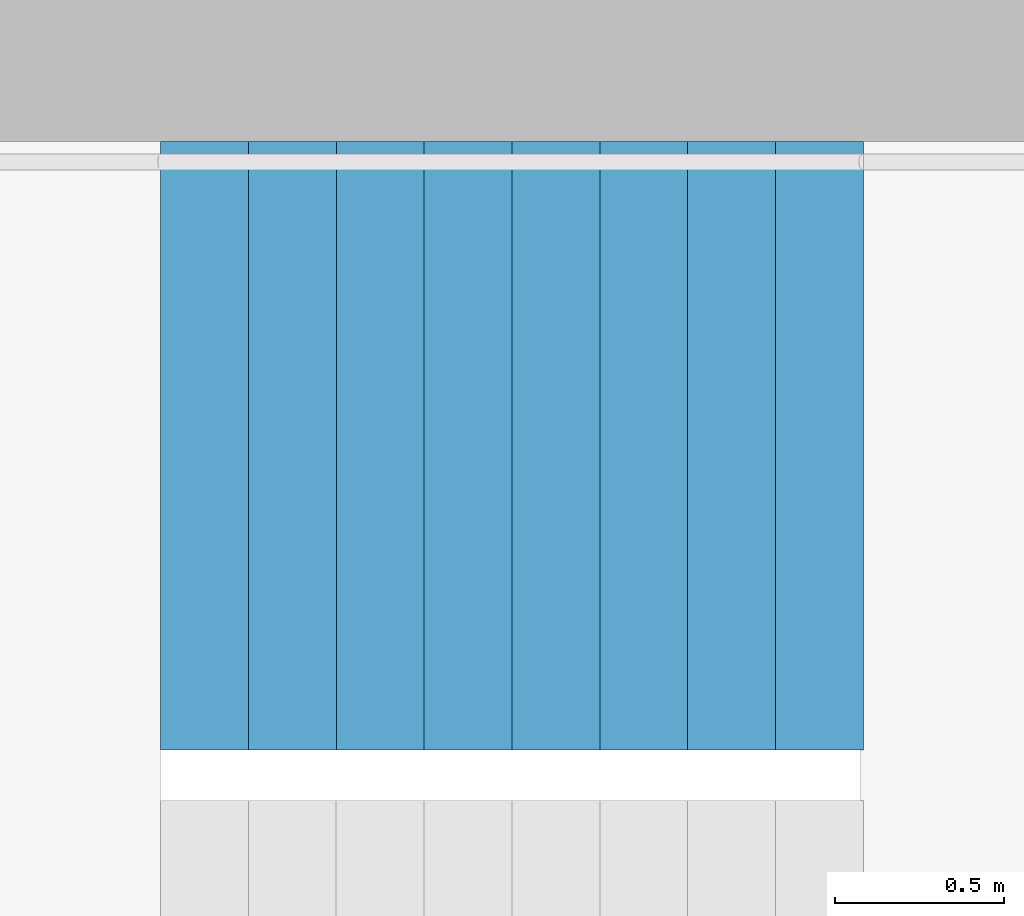
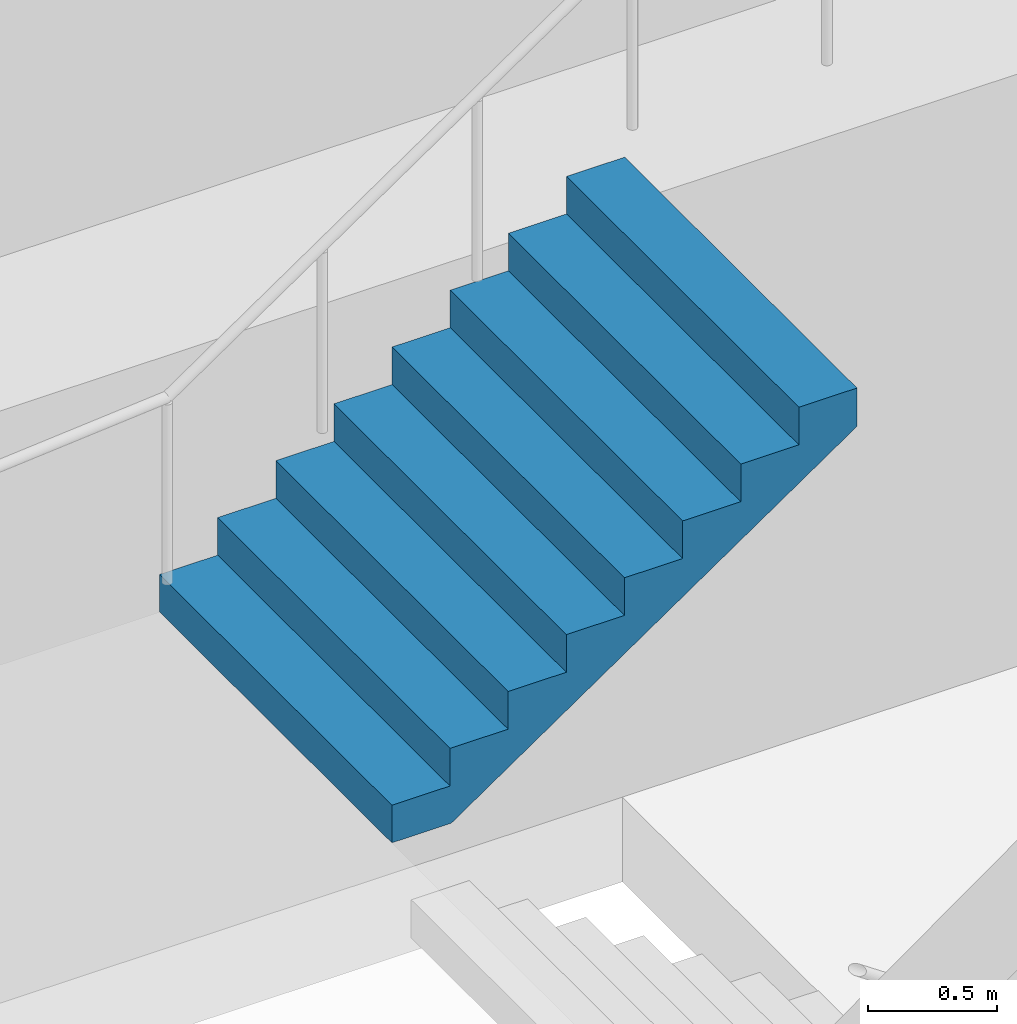
# One storey, part 27 of 28: 1 stair flight, 1 element without a shape of its own.
"""IFC4 building model written with IfcOpenShell, lengths in metres."""

from ifc_helpers import new_model, si_unit, direction, frame, origin, place, context, subcontext, project, spatial, triangles, material, type_object, element, aggregate, save


model = new_model("IFC4")

# Units and contexts
model_context = context("Model", 3, precision=1e-05, world=origin(), true_north=direction((0.0, 1.0)))
body_context = subcontext(model_context, "Body", "Model", "MODEL_VIEW")
ifc_project = project(units=[si_unit("LENGTHUNIT", "METRE"), si_unit("AREAUNIT", "SQUARE_METRE"), si_unit("VOLUMEUNIT", "CUBIC_METRE"), si_unit("PLANEANGLEUNIT", "RADIAN"), si_unit("MASSUNIT", "GRAM", prefix="KILO")], contexts=[model_context])

# Site, building, storey
site_placement = place(None, origin())
site = spatial("IfcSite", under=ifc_project, at=site_placement, CompositionType="ELEMENT")
building_placement = place(site_placement, origin())
building = spatial("IfcBuilding", under=site, at=building_placement, Name="Hakoniwa Tower and Hamabe Station Hall", CompositionType="ELEMENT")
storey_placement = place(building_placement, frame((0.0, 0.0, 32.60009765625)))
storey = spatial("IfcBuildingStorey", under=building, at=storey_placement, Name="L08", CompositionType="ELEMENT", Elevation=32.60009765625)

# Stair, stair flight
ifc_material_1 = material(Name="Concrete C40", Category="concrete")
stair_type = type_object("IfcStairType", Name="ESCAPE STAIR 1800", PredefinedType="HALF_TURN_STAIR", material=ifc_material_1)
stair_placement = place(storey_placement, origin())
stair = element("IfcStair", 1, at=stair_placement, inside=storey, type_object=stair_type, Name="Escape stair ST-3 L08", PredefinedType="HALF_TURN_STAIR")
ifc_material_2 = material(Name="Concrete C40", Category="concrete")
stair_flight_type = type_object("IfcStairFlightType", Name="STAIR FLIGHT 1800", PredefinedType="STRAIGHT", material=ifc_material_2)
stair_flight_placement = place(storey_placement, frame((22.320068359375, 6.60009765625, 1.599853515625), z_axis=(0.0, 0.0, 1.0), x_axis=(1.0, 0.0, 0.0)))
stair_flight = element("IfcStairFlight", 2, at=stair_flight_placement, type_object=stair_flight_type, Name="ST-3 flight 2", NumberOfRisers=9, NumberOfTreads=8, PredefinedType="STRAIGHT", RiserHeight=0.177777778, TreadLength=0.26, context=body_context, shape_type="Tessellation", body=[
    triangles([(0.0, 0.89990234375, 0.0), (0.260009765625, 0.89990234375, 0.0), (0.265625, 0.89990234375, 0.0), (0.52001953125, 0.89990234375, 0.174072265625), (0.780029296875, 0.89990234375, 0.351806640625), (1.0400390625, 0.89990234375, 0.529541015625), (1.300048828125, 0.89990234375, 0.707275390625), (1.56005859375, 0.89990234375, 0.885009765625), (1.820068359375, 0.89990234375, 1.062744140625), (2.080078125, 0.89990234375, 1.24072265625), (2.080078125, 0.89990234375, 1.422119140625), (1.820068359375, 0.89990234375, 1.422119140625), (1.820068359375, 0.89990234375, 1.244384765625), (1.56005859375, 0.89990234375, 1.244384765625), (1.56005859375, 0.89990234375, 1.066650390625), (1.300048828125, 0.89990234375, 1.066650390625), (1.300048828125, 0.89990234375, 0.888916015625), (1.0400390625, 0.89990234375, 0.888916015625), (1.0400390625, 0.89990234375, 0.711181640625), (0.780029296875, 0.89990234375, 0.711181640625), (0.780029296875, 0.89990234375, 0.533447265625), (0.52001953125, 0.89990234375, 0.533447265625), (0.52001953125, 0.89990234375, 0.35546875), (0.265625, 0.89990234375, 0.35546875), (0.260009765625, 0.89990234375, 0.35546875), (0.260009765625, 0.89990234375, 0.177734375), (0.0, 0.89990234375, 0.177734375), (0.0, 0.06005859375, 0.0), (0.260009765625, 0.06005859375, 0.0), (0.265625, 0.06005859375, 0.0), (0.52001953125, 0.06005859375, 0.174072265625), (0.780029296875, 0.06005859375, 0.351806640625), (1.0400390625, 0.06005859375, 0.529541015625), (1.300048828125, 0.06005859375, 0.707275390625), (1.56005859375, 0.06005859375, 0.885009765625), (1.820068359375, 0.06005859375, 1.062744140625), (2.080078125, 0.06005859375, 1.24072265625), (2.080078125, 0.06005859375, 1.422119140625), (1.820068359375, 0.06005859375, 1.422119140625), (1.820068359375, 0.06005859375, 1.244384765625), (1.56005859375, 0.06005859375, 1.244384765625), (1.56005859375, 0.06005859375, 1.066650390625), (1.300048828125, 0.06005859375, 1.066650390625), (1.300048828125, 0.06005859375, 0.888916015625), (1.0400390625, 0.06005859375, 0.888916015625), (1.0400390625, 0.06005859375, 0.711181640625), (0.780029296875, 0.06005859375, 0.711181640625), (0.780029296875, 0.06005859375, 0.533447265625), (0.52001953125, 0.06005859375, 0.533447265625), (0.52001953125, 0.06005859375, 0.35546875), (0.265625, 0.06005859375, 0.35546875), (0.260009765625, 0.06005859375, 0.35546875), (0.260009765625, 0.06005859375, 0.177734375), (0.0, 0.06005859375, 0.177734375), (0.0, 0.04296875, 0.0), (0.260009765625, 0.04296875, 0.0), (0.265625, 0.04296875, 0.0), (0.52001953125, 0.04296875, 0.174072265625), (0.780029296875, 0.04296875, 0.351806640625), (1.0400390625, 0.04296875, 0.529541015625), (1.300048828125, 0.04296875, 0.707275390625), (1.56005859375, 0.04296875, 0.885009765625), (1.820068359375, 0.04296875, 1.062744140625), (2.080078125, 0.04296875, 1.24072265625), (2.080078125, 0.04296875, 1.422119140625), (1.820068359375, 0.04296875, 1.422119140625), (1.820068359375, 0.04296875, 1.244384765625), (1.56005859375, 0.04296875, 1.244384765625), (1.56005859375, 0.04296875, 1.066650390625), (1.300048828125, 0.04296875, 1.066650390625), (1.300048828125, 0.04296875, 0.888916015625), (1.0400390625, 0.04296875, 0.888916015625), (1.0400390625, 0.04296875, 0.711181640625), (0.780029296875, 0.04296875, 0.711181640625), (0.780029296875, 0.04296875, 0.533447265625), (0.52001953125, 0.04296875, 0.533447265625), (0.52001953125, 0.04296875, 0.35546875), (0.265625, 0.04296875, 0.35546875), (0.260009765625, 0.04296875, 0.35546875), (0.260009765625, 0.04296875, 0.177734375), (0.0, 0.04296875, 0.177734375), (0.0, 0.025634765625, 0.0), (0.260009765625, 0.025634765625, 0.0), (0.265625, 0.025634765625, 0.0), (0.52001953125, 0.025634765625, 0.174072265625), (0.780029296875, 0.025634765625, 0.351806640625), (1.0400390625, 0.025634765625, 0.529541015625), (1.300048828125, 0.025634765625, 0.707275390625), (1.56005859375, 0.025634765625, 0.885009765625), (1.820068359375, 0.025634765625, 1.062744140625), (2.080078125, 0.025634765625, 1.24072265625), (2.080078125, 0.025634765625, 1.422119140625), (1.820068359375, 0.025634765625, 1.422119140625), (1.820068359375, 0.025634765625, 1.244384765625), (1.56005859375, 0.025634765625, 1.244384765625), (1.56005859375, 0.025634765625, 1.066650390625), (1.300048828125, 0.025634765625, 1.066650390625), (1.300048828125, 0.025634765625, 0.888916015625), (1.0400390625, 0.025634765625, 0.888916015625), (1.0400390625, 0.025634765625, 0.711181640625), (0.780029296875, 0.025634765625, 0.711181640625), (0.780029296875, 0.025634765625, 0.533447265625), (0.52001953125, 0.025634765625, 0.533447265625), (0.52001953125, 0.025634765625, 0.35546875), (0.265625, 0.025634765625, 0.35546875), (0.260009765625, 0.025634765625, 0.35546875), (0.260009765625, 0.025634765625, 0.177734375), (0.0, 0.025634765625, 0.177734375), (0.0, 0.008544921875, 0.0), (0.260009765625, 0.008544921875, 0.0), (0.265625, 0.008544921875, 0.0), (0.52001953125, 0.008544921875, 0.174072265625), (0.780029296875, 0.008544921875, 0.351806640625), (1.0400390625, 0.008544921875, 0.529541015625), (1.300048828125, 0.008544921875, 0.707275390625), (1.56005859375, 0.008544921875, 0.885009765625), (1.820068359375, 0.008544921875, 1.062744140625), (2.080078125, 0.008544921875, 1.24072265625), (2.080078125, 0.008544921875, 1.422119140625), (1.820068359375, 0.008544921875, 1.422119140625), (1.820068359375, 0.008544921875, 1.244384765625), (1.56005859375, 0.008544921875, 1.244384765625), (1.56005859375, 0.008544921875, 1.066650390625), (1.300048828125, 0.008544921875, 1.066650390625), (1.300048828125, 0.008544921875, 0.888916015625), (1.0400390625, 0.008544921875, 0.888916015625), (1.0400390625, 0.008544921875, 0.711181640625), (0.780029296875, 0.008544921875, 0.711181640625), (0.780029296875, 0.008544921875, 0.533447265625), (0.52001953125, 0.008544921875, 0.533447265625), (0.52001953125, 0.008544921875, 0.35546875), (0.265625, 0.008544921875, 0.35546875), (0.260009765625, 0.008544921875, 0.35546875), (0.260009765625, 0.008544921875, 0.177734375), (0.0, 0.008544921875, 0.177734375), (0.0, -0.008544921875, 0.0), (0.260009765625, -0.008544921875, 0.0), (0.265625, -0.008544921875, 0.0), (0.52001953125, -0.008544921875, 0.174072265625), (0.780029296875, -0.008544921875, 0.351806640625), (1.0400390625, -0.008544921875, 0.529541015625), (1.300048828125, -0.008544921875, 0.707275390625), (1.56005859375, -0.008544921875, 0.885009765625), (1.820068359375, -0.008544921875, 1.062744140625), (2.080078125, -0.008544921875, 1.24072265625), (2.080078125, -0.008544921875, 1.422119140625), (1.820068359375, -0.008544921875, 1.422119140625), (1.820068359375, -0.008544921875, 1.244384765625), (1.56005859375, -0.008544921875, 1.244384765625), (1.56005859375, -0.008544921875, 1.066650390625), (1.300048828125, -0.008544921875, 1.066650390625), (1.300048828125, -0.008544921875, 0.888916015625), (1.0400390625, -0.008544921875, 0.888916015625), (1.0400390625, -0.008544921875, 0.711181640625), (0.780029296875, -0.008544921875, 0.711181640625), (0.780029296875, -0.008544921875, 0.533447265625), (0.52001953125, -0.008544921875, 0.533447265625), (0.52001953125, -0.008544921875, 0.35546875), (0.265625, -0.008544921875, 0.35546875), (0.260009765625, -0.008544921875, 0.35546875), (0.260009765625, -0.008544921875, 0.177734375), (0.0, -0.008544921875, 0.177734375), (0.0, -0.025634765625, 0.0), (0.260009765625, -0.025634765625, 0.0), (0.265625, -0.025634765625, 0.0), (0.52001953125, -0.025634765625, 0.174072265625), (0.780029296875, -0.025634765625, 0.351806640625), (1.0400390625, -0.025634765625, 0.529541015625), (1.300048828125, -0.025634765625, 0.707275390625), (1.56005859375, -0.025634765625, 0.885009765625), (1.820068359375, -0.025634765625, 1.062744140625), (2.080078125, -0.025634765625, 1.24072265625), (2.080078125, -0.025634765625, 1.422119140625), (1.820068359375, -0.025634765625, 1.422119140625), (1.820068359375, -0.025634765625, 1.244384765625), (1.56005859375, -0.025634765625, 1.244384765625), (1.56005859375, -0.025634765625, 1.066650390625), (1.300048828125, -0.025634765625, 1.066650390625), (1.300048828125, -0.025634765625, 0.888916015625), (1.0400390625, -0.025634765625, 0.888916015625), (1.0400390625, -0.025634765625, 0.711181640625), (0.780029296875, -0.025634765625, 0.711181640625), (0.780029296875, -0.025634765625, 0.533447265625), (0.52001953125, -0.025634765625, 0.533447265625), (0.52001953125, -0.025634765625, 0.35546875), (0.265625, -0.025634765625, 0.35546875), (0.260009765625, -0.025634765625, 0.35546875), (0.260009765625, -0.025634765625, 0.177734375), (0.0, -0.025634765625, 0.177734375), (0.0, -0.04296875, 0.0), (0.260009765625, -0.04296875, 0.0), (0.265625, -0.04296875, 0.0), (0.52001953125, -0.04296875, 0.174072265625), (0.780029296875, -0.04296875, 0.351806640625), (1.0400390625, -0.04296875, 0.529541015625), (1.300048828125, -0.04296875, 0.707275390625), (1.56005859375, -0.04296875, 0.885009765625), (1.820068359375, -0.04296875, 1.062744140625), (2.080078125, -0.04296875, 1.24072265625), (2.080078125, -0.04296875, 1.422119140625), (1.820068359375, -0.04296875, 1.422119140625), (1.820068359375, -0.04296875, 1.244384765625), (1.56005859375, -0.04296875, 1.244384765625), (1.56005859375, -0.04296875, 1.066650390625), (1.300048828125, -0.04296875, 1.066650390625), (1.300048828125, -0.04296875, 0.888916015625), (1.0400390625, -0.04296875, 0.888916015625), (1.0400390625, -0.04296875, 0.711181640625), (0.780029296875, -0.04296875, 0.711181640625), (0.780029296875, -0.04296875, 0.533447265625), (0.52001953125, -0.04296875, 0.533447265625), (0.52001953125, -0.04296875, 0.35546875), (0.265625, -0.04296875, 0.35546875), (0.260009765625, -0.04296875, 0.35546875), (0.260009765625, -0.04296875, 0.177734375), (0.0, -0.04296875, 0.177734375), (0.0, -0.06005859375, 0.0), (0.260009765625, -0.06005859375, 0.0), (0.265625, -0.06005859375, 0.0), (0.52001953125, -0.06005859375, 0.174072265625), (0.780029296875, -0.06005859375, 0.351806640625), (1.0400390625, -0.06005859375, 0.529541015625), (1.300048828125, -0.06005859375, 0.707275390625), (1.56005859375, -0.06005859375, 0.885009765625), (1.820068359375, -0.06005859375, 1.062744140625), (2.080078125, -0.06005859375, 1.24072265625), (2.080078125, -0.06005859375, 1.422119140625), (1.820068359375, -0.06005859375, 1.422119140625), (1.820068359375, -0.06005859375, 1.244384765625), (1.56005859375, -0.06005859375, 1.244384765625), (1.56005859375, -0.06005859375, 1.066650390625), (1.300048828125, -0.06005859375, 1.066650390625), (1.300048828125, -0.06005859375, 0.888916015625), (1.0400390625, -0.06005859375, 0.888916015625), (1.0400390625, -0.06005859375, 0.711181640625), (0.780029296875, -0.06005859375, 0.711181640625), (0.780029296875, -0.06005859375, 0.533447265625), (0.52001953125, -0.06005859375, 0.533447265625), (0.52001953125, -0.06005859375, 0.35546875), (0.265625, -0.06005859375, 0.35546875), (0.260009765625, -0.06005859375, 0.35546875), (0.260009765625, -0.06005859375, 0.177734375), (0.0, -0.06005859375, 0.177734375), (0.0, -0.89990234375, 0.0), (0.260009765625, -0.89990234375, 0.0), (0.265625, -0.89990234375, 0.0), (0.52001953125, -0.89990234375, 0.174072265625), (0.780029296875, -0.89990234375, 0.351806640625), (1.0400390625, -0.89990234375, 0.529541015625), (1.300048828125, -0.89990234375, 0.707275390625), (1.56005859375, -0.89990234375, 0.885009765625), (1.820068359375, -0.89990234375, 1.062744140625), (2.080078125, -0.89990234375, 1.24072265625), (2.080078125, -0.89990234375, 1.422119140625), (1.820068359375, -0.89990234375, 1.422119140625), (1.820068359375, -0.89990234375, 1.244384765625), (1.56005859375, -0.89990234375, 1.244384765625), (1.56005859375, -0.89990234375, 1.066650390625), (1.300048828125, -0.89990234375, 1.066650390625), (1.300048828125, -0.89990234375, 0.888916015625), (1.0400390625, -0.89990234375, 0.888916015625), (1.0400390625, -0.89990234375, 0.711181640625), (0.780029296875, -0.89990234375, 0.711181640625), (0.780029296875, -0.89990234375, 0.533447265625), (0.52001953125, -0.89990234375, 0.533447265625), (0.52001953125, -0.89990234375, 0.35546875), (0.265625, -0.89990234375, 0.35546875), (0.260009765625, -0.89990234375, 0.35546875), (0.260009765625, -0.89990234375, 0.177734375), (0.0, -0.89990234375, 0.177734375)], [[2, 27, 26], [245, 269, 270], [2, 1, 27], [245, 270, 244], [3, 25, 24], [246, 267, 268], [3, 26, 25], [246, 268, 269], [3, 2, 26], [246, 269, 245], [4, 24, 23], [247, 266, 267], [4, 3, 24], [247, 267, 246], [5, 22, 21], [248, 264, 265], [5, 23, 22], [248, 265, 266], [5, 4, 23], [248, 266, 247], [6, 20, 19], [249, 262, 263], [6, 21, 20], [249, 263, 264], [6, 5, 21], [249, 264, 248], [7, 18, 17], [250, 260, 261], [7, 19, 18], [250, 261, 262], [7, 6, 19], [250, 262, 249], [8, 16, 15], [251, 258, 259], [8, 17, 16], [251, 259, 260], [8, 7, 17], [251, 260, 250], [9, 14, 13], [252, 256, 257], [9, 15, 14], [252, 257, 258], [9, 8, 15], [252, 258, 251], [10, 12, 11], [253, 254, 255], [10, 13, 12], [253, 255, 256], [10, 9, 13], [253, 256, 252], [1, 2, 29], [1, 29, 28], [28, 29, 56], [28, 56, 55], [55, 56, 83], [55, 83, 82], [82, 83, 110], [82, 110, 109], [109, 110, 137], [109, 137, 136], [136, 137, 164], [136, 164, 163], [163, 164, 191], [163, 191, 190], [190, 191, 218], [190, 218, 217], [217, 218, 245], [217, 245, 244], [2, 3, 30], [2, 30, 29], [29, 30, 57], [29, 57, 56], [56, 57, 84], [56, 84, 83], [83, 84, 111], [83, 111, 110], [110, 111, 138], [110, 138, 137], [137, 138, 165], [137, 165, 164], [164, 165, 192], [164, 192, 191], [191, 192, 219], [191, 219, 218], [218, 219, 246], [218, 246, 245], [3, 4, 31], [3, 31, 30], [30, 31, 58], [30, 58, 57], [57, 58, 85], [57, 85, 84], [84, 85, 112], [84, 112, 111], [111, 112, 139], [111, 139, 138], [138, 139, 166], [138, 166, 165], [165, 166, 193], [165, 193, 192], [192, 193, 220], [192, 220, 219], [219, 220, 247], [219, 247, 246], [4, 5, 32], [4, 32, 31], [31, 32, 59], [31, 59, 58], [58, 59, 86], [58, 86, 85], [85, 86, 113], [85, 113, 112], [112, 113, 140], [112, 140, 139], [139, 140, 167], [139, 167, 166], [166, 167, 194], [166, 194, 193], [193, 194, 221], [193, 221, 220], [220, 221, 248], [220, 248, 247], [5, 6, 33], [5, 33, 32], [32, 33, 60], [32, 60, 59], [59, 60, 87], [59, 87, 86], [86, 87, 114], [86, 114, 113], [113, 114, 141], [113, 141, 140], [140, 141, 168], [140, 168, 167], [167, 168, 195], [167, 195, 194], [194, 195, 222], [194, 222, 221], [221, 222, 249], [221, 249, 248], [6, 7, 34], [6, 34, 33], [33, 34, 61], [33, 61, 60], [60, 61, 88], [60, 88, 87], [87, 88, 115], [87, 115, 114], [114, 115, 142], [114, 142, 141], [141, 142, 169], [141, 169, 168], [168, 169, 196], [168, 196, 195], [195, 196, 223], [195, 223, 222], [222, 223, 250], [222, 250, 249], [7, 8, 35], [7, 35, 34], [34, 35, 62], [34, 62, 61], [61, 62, 89], [61, 89, 88], [88, 89, 116], [88, 116, 115], [115, 116, 143], [115, 143, 142], [142, 143, 170], [142, 170, 169], [169, 170, 197], [169, 197, 196], [196, 197, 224], [196, 224, 223], [223, 224, 251], [223, 251, 250], [8, 9, 36], [8, 36, 35], [35, 36, 63], [35, 63, 62], [62, 63, 90], [62, 90, 89], [89, 90, 117], [89, 117, 116], [116, 117, 144], [116, 144, 143], [143, 144, 171], [143, 171, 170], [170, 171, 198], [170, 198, 197], [197, 198, 225], [197, 225, 224], [224, 225, 252], [224, 252, 251], [9, 10, 37], [9, 37, 36], [36, 37, 64], [36, 64, 63], [63, 64, 91], [63, 91, 90], [90, 91, 118], [90, 118, 117], [117, 118, 145], [117, 145, 144], [144, 145, 172], [144, 172, 171], [171, 172, 199], [171, 199, 198], [198, 199, 226], [198, 226, 225], [225, 226, 253], [225, 253, 252], [10, 11, 38], [10, 38, 37], [37, 38, 65], [37, 65, 64], [64, 65, 92], [64, 92, 91], [91, 92, 119], [91, 119, 118], [118, 119, 146], [118, 146, 145], [145, 146, 173], [145, 173, 172], [172, 173, 200], [172, 200, 199], [199, 200, 227], [199, 227, 226], [226, 227, 254], [226, 254, 253], [11, 12, 39], [11, 39, 38], [38, 39, 66], [38, 66, 65], [65, 66, 93], [65, 93, 92], [92, 93, 120], [92, 120, 119], [119, 120, 147], [119, 147, 146], [146, 147, 174], [146, 174, 173], [173, 174, 201], [173, 201, 200], [200, 201, 228], [200, 228, 227], [227, 228, 255], [227, 255, 254], [12, 13, 40], [12, 40, 39], [39, 40, 67], [39, 67, 66], [66, 67, 94], [66, 94, 93], [93, 94, 121], [93, 121, 120], [120, 121, 148], [120, 148, 147], [147, 148, 175], [147, 175, 174], [174, 175, 202], [174, 202, 201], [201, 202, 229], [201, 229, 228], [228, 229, 256], [228, 256, 255], [13, 14, 41], [13, 41, 40], [40, 41, 68], [40, 68, 67], [67, 68, 95], [67, 95, 94], [94, 95, 122], [94, 122, 121], [121, 122, 149], [121, 149, 148], [148, 149, 176], [148, 176, 175], [175, 176, 203], [175, 203, 202], [202, 203, 230], [202, 230, 229], [229, 230, 257], [229, 257, 256], [14, 15, 42], [14, 42, 41], [41, 42, 69], [41, 69, 68], [68, 69, 96], [68, 96, 95], [95, 96, 123], [95, 123, 122], [122, 123, 150], [122, 150, 149], [149, 150, 177], [149, 177, 176], [176, 177, 204], [176, 204, 203], [203, 204, 231], [203, 231, 230], [230, 231, 258], [230, 258, 257], [15, 16, 43], [15, 43, 42], [42, 43, 70], [42, 70, 69], [69, 70, 97], [69, 97, 96], [96, 97, 124], [96, 124, 123], [123, 124, 151], [123, 151, 150], [150, 151, 178], [150, 178, 177], [177, 178, 205], [177, 205, 204], [204, 205, 232], [204, 232, 231], [231, 232, 259], [231, 259, 258], [16, 17, 44], [16, 44, 43], [43, 44, 71], [43, 71, 70], [70, 71, 98], [70, 98, 97], [97, 98, 125], [97, 125, 124], [124, 125, 152], [124, 152, 151], [151, 152, 179], [151, 179, 178], [178, 179, 206], [178, 206, 205], [205, 206, 233], [205, 233, 232], [232, 233, 260], [232, 260, 259], [17, 18, 45], [17, 45, 44], [44, 45, 72], [44, 72, 71], [71, 72, 99], [71, 99, 98], [98, 99, 126], [98, 126, 125], [125, 126, 153], [125, 153, 152], [152, 153, 180], [152, 180, 179], [179, 180, 207], [179, 207, 206], [206, 207, 234], [206, 234, 233], [233, 234, 261], [233, 261, 260], [18, 19, 46], [18, 46, 45], [45, 46, 73], [45, 73, 72], [72, 73, 100], [72, 100, 99], [99, 100, 127], [99, 127, 126], [126, 127, 154], [126, 154, 153], [153, 154, 181], [153, 181, 180], [180, 181, 208], [180, 208, 207], [207, 208, 235], [207, 235, 234], [234, 235, 262], [234, 262, 261], [19, 20, 47], [19, 47, 46], [46, 47, 74], [46, 74, 73], [73, 74, 101], [73, 101, 100], [100, 101, 128], [100, 128, 127], [127, 128, 155], [127, 155, 154], [154, 155, 182], [154, 182, 181], [181, 182, 209], [181, 209, 208], [208, 209, 236], [208, 236, 235], [235, 236, 263], [235, 263, 262], [20, 21, 48], [20, 48, 47], [47, 48, 75], [47, 75, 74], [74, 75, 102], [74, 102, 101], [101, 102, 129], [101, 129, 128], [128, 129, 156], [128, 156, 155], [155, 156, 183], [155, 183, 182], [182, 183, 210], [182, 210, 209], [209, 210, 237], [209, 237, 236], [236, 237, 264], [236, 264, 263], [21, 22, 49], [21, 49, 48], [48, 49, 76], [48, 76, 75], [75, 76, 103], [75, 103, 102], [102, 103, 130], [102, 130, 129], [129, 130, 157], [129, 157, 156], [156, 157, 184], [156, 184, 183], [183, 184, 211], [183, 211, 210], [210, 211, 238], [210, 238, 237], [237, 238, 265], [237, 265, 264], [22, 23, 50], [22, 50, 49], [49, 50, 77], [49, 77, 76], [76, 77, 104], [76, 104, 103], [103, 104, 131], [103, 131, 130], [130, 131, 158], [130, 158, 157], [157, 158, 185], [157, 185, 184], [184, 185, 212], [184, 212, 211], [211, 212, 239], [211, 239, 238], [238, 239, 266], [238, 266, 265], [23, 24, 51], [23, 51, 50], [50, 51, 78], [50, 78, 77], [77, 78, 105], [77, 105, 104], [104, 105, 132], [104, 132, 131], [131, 132, 159], [131, 159, 158], [158, 159, 186], [158, 186, 185], [185, 186, 213], [185, 213, 212], [212, 213, 240], [212, 240, 239], [239, 240, 267], [239, 267, 266], [24, 25, 52], [24, 52, 51], [51, 52, 79], [51, 79, 78], [78, 79, 106], [78, 106, 105], [105, 106, 133], [105, 133, 132], [132, 133, 160], [132, 160, 159], [159, 160, 187], [159, 187, 186], [186, 187, 214], [186, 214, 213], [213, 214, 241], [213, 241, 240], [240, 241, 268], [240, 268, 267], [25, 26, 53], [25, 53, 52], [52, 53, 80], [52, 80, 79], [79, 80, 107], [79, 107, 106], [106, 107, 134], [106, 134, 133], [133, 134, 161], [133, 161, 160], [160, 161, 188], [160, 188, 187], [187, 188, 215], [187, 215, 214], [214, 215, 242], [214, 242, 241], [241, 242, 269], [241, 269, 268], [26, 27, 54], [26, 54, 53], [53, 54, 81], [53, 81, 80], [80, 81, 108], [80, 108, 107], [107, 108, 135], [107, 135, 134], [134, 135, 162], [134, 162, 161], [161, 162, 189], [161, 189, 188], [188, 189, 216], [188, 216, 215], [215, 216, 243], [215, 243, 242], [242, 243, 270], [242, 270, 269], [27, 1, 28], [27, 28, 54], [54, 28, 55], [54, 55, 81], [81, 55, 82], [81, 82, 108], [108, 82, 109], [108, 109, 135], [135, 109, 136], [135, 136, 162], [162, 136, 163], [162, 163, 189], [189, 163, 190], [189, 190, 216], [216, 190, 217], [216, 217, 243], [243, 217, 244], [243, 244, 270]], closed=True),
])
aggregate(stair, [stair_flight])

save(model, "model.ifc")
